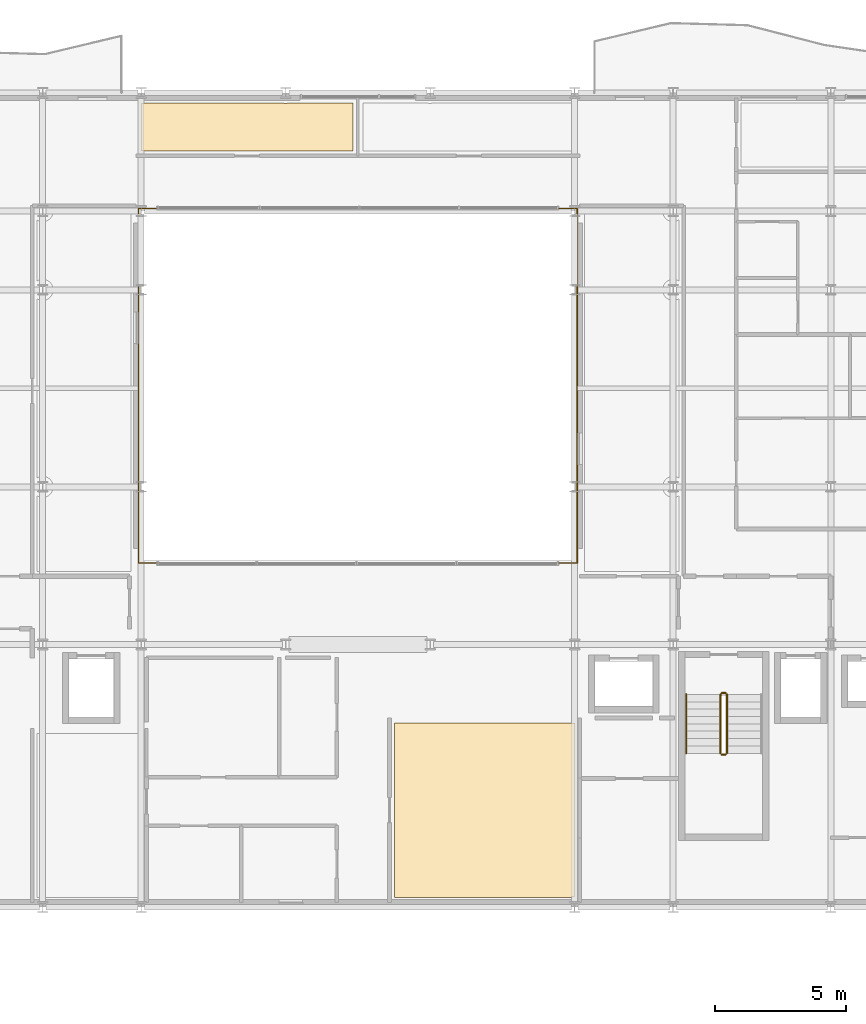
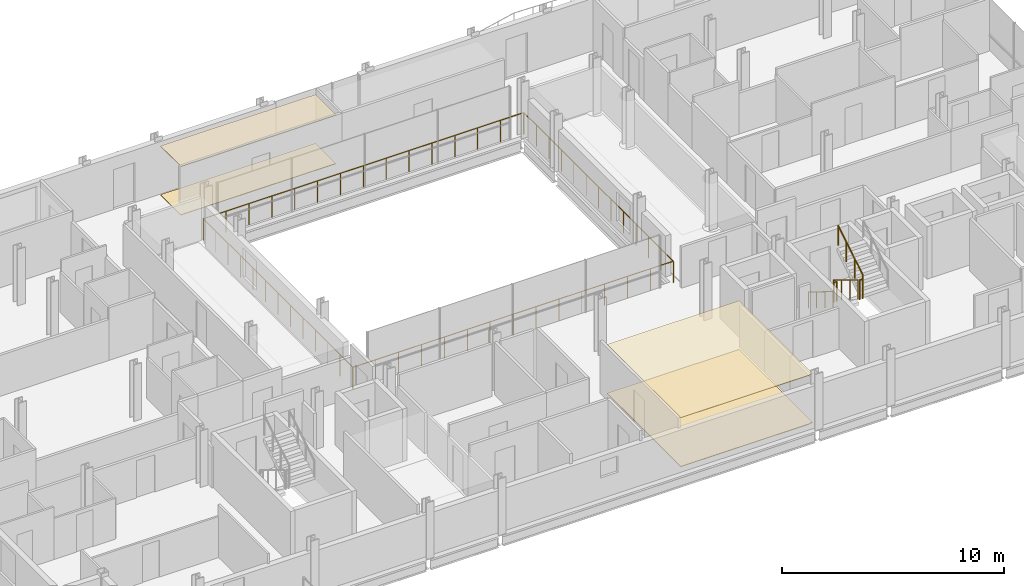
# One storey, part 40 of 41: 7 railings, 4 coverings.
"""IFC4 building model written with IfcOpenShell, lengths in metres."""

from ifc_helpers import new_model, si_unit, direction, frame, origin, origin_2d, place, context, subcontext, project, spatial, polyline, circle, outline, extrude, material, layer, layer_set, type_object, element, save


model = new_model("IFC4")

# Units and contexts
model_context = context("Model", 3, precision=1e-05, world=origin(), true_north=direction((0.0, 1.0)))
body_context = subcontext(model_context, "Body", "Model", "MODEL_VIEW")
ifc_project = project(units=[si_unit("LENGTHUNIT", "METRE"), si_unit("AREAUNIT", "SQUARE_METRE"), si_unit("VOLUMEUNIT", "CUBIC_METRE"), si_unit("PLANEANGLEUNIT", "RADIAN"), si_unit("MASSUNIT", "GRAM", prefix="KILO")], contexts=[model_context])

# Site, building, storey
site_placement = place(None, origin())
site = spatial("IfcSite", under=ifc_project, at=site_placement, CompositionType="ELEMENT")
building_placement = place(site_placement, origin())
building = spatial("IfcBuilding", under=site, at=building_placement, Name="Brevholm Reach", CompositionType="ELEMENT")
storey_placement = place(building_placement, frame((0.0, 0.0, 169.699951171875)))
storey = spatial("IfcBuildingStorey", under=building, at=storey_placement, Name="L51", CompositionType="ELEMENT", Elevation=169.699951171875)

# Coverings
ifc_material_1 = material(Name="Moisture-Resistant Skimmed Gypsum Plasterboard Ceiling", Category="gypsum")
ifc_layer_1 = layer(ifc_material_1, 0.030029296875)
ifc_layer_set_1 = layer_set([ifc_layer_1], Name="Moisture-Resistant Skimmed Gypsum Plasterboard Ceiling")
covering_type_1 = type_object("IfcCoveringType", Name="COV-CLG-GYP", PredefinedType="CEILING", material=ifc_layer_set_1)
covering_1_placement = place(storey_placement, frame((0.0, 0.0, 2.68994140625)))
element("IfcCovering", 1, at=covering_1_placement, inside=storey, type_object=covering_type_1, Name="L51 Suspended Ceiling L51-14", PredefinedType="CEILING", context=body_context, shape_type="SweptSolid", body=[
    extrude(outline(polyline([(38.27001953125, 7.02001953125), (38.27001953125, 0.39892578125), (38.25, 0.39990234375), (38.210693359375, 0.398193359375), (38.172119140625, 0.392333984375), (38.1337890625, 0.3828125), (38.096923828125, 0.36962890625), (38.07666015625, 0.360107421875), (31.384033203125, 0.360107421875), (31.384033203125, 7.02001953125), (38.27001953125, 7.02001953125)])), origin(), (0.0, 0.0, 1.0), 0.030029296875),
])
covering_2_placement = place(storey_placement, frame((0.0, 0.0, 2.68994140625)))
element("IfcCovering", 2, at=covering_2_placement, inside=storey, type_object=covering_type_1, Name="L51 Suspended Ceiling L51-60", PredefinedType="CEILING", context=body_context, shape_type="SweptSolid", body=[
    extrude(outline(polyline([(27.126220703125, 30.6201171875), (27.1337890625, 30.6171875), (27.172119140625, 30.607666015625), (27.210693359375, 30.601806640625), (27.25, 30.60009765625), (27.289306640625, 30.601806640625), (27.327880859375, 30.607666015625), (27.3662109375, 30.6171875), (27.373779296875, 30.6201171875), (29.820068359375, 30.6201171875), (29.820068359375, 28.783935546875), (21.73388671875, 28.783935546875), (21.73388671875, 30.600830078125), (21.75, 30.60009765625), (21.789306640625, 30.601806640625), (21.827880859375, 30.607666015625), (21.8662109375, 30.6171875), (21.873779296875, 30.6201171875), (27.126220703125, 30.6201171875)])), origin(), (0.0, 0.0, 1.0), 0.030029296875),
])
ifc_material_2 = material(Name="Honed Portland-Aggregate Resin Terrazzo Flooring", Category="concrete")
ifc_layer_2 = layer(ifc_material_2, 0.031982421875)
ifc_layer_set_2 = layer_set([ifc_layer_2], Name="Honed Portland-Aggregate Resin Terrazzo Flooring")
covering_type_2 = type_object("IfcCoveringType", Name="COV-FLR-TRZ", PredefinedType="FLOORING", material=ifc_layer_set_2)
covering_3_placement = place(storey_placement, origin())
element("IfcCovering", 3, at=covering_3_placement, inside=storey, type_object=covering_type_2, Name="L51 Floor Finish L51-14", PredefinedType="FLOORING", context=body_context, shape_type="SweptSolid", body=[
    extrude(outline(polyline([(38.27001953125, 7.02001953125), (38.27001953125, 0.39892578125), (38.25, 0.39990234375), (38.210693359375, 0.398193359375), (38.172119140625, 0.392333984375), (38.1337890625, 0.3828125), (38.096923828125, 0.36962890625), (38.07666015625, 0.360107421875), (31.384033203125, 0.360107421875), (31.384033203125, 7.02001953125), (38.27001953125, 7.02001953125)])), origin(), (0.0, 0.0, 1.0), 0.031982421875),
])
covering_4_placement = place(storey_placement, origin())
element("IfcCovering", 4, at=covering_4_placement, inside=storey, type_object=covering_type_2, Name="L51 Floor Finish L51-60", PredefinedType="FLOORING", context=body_context, shape_type="SweptSolid", body=[
    extrude(outline(polyline([(27.126220703125, 30.6201171875), (27.1337890625, 30.6171875), (27.172119140625, 30.607666015625), (27.210693359375, 30.601806640625), (27.25, 30.60009765625), (27.289306640625, 30.601806640625), (27.327880859375, 30.607666015625), (27.3662109375, 30.6171875), (27.373779296875, 30.6201171875), (29.820068359375, 30.6201171875), (29.820068359375, 28.783935546875), (21.73388671875, 28.783935546875), (21.73388671875, 30.600830078125), (21.75, 30.60009765625), (21.789306640625, 30.601806640625), (21.827880859375, 30.607666015625), (21.8662109375, 30.6171875), (21.873779296875, 30.6201171875), (27.126220703125, 30.6201171875)])), origin(), (0.0, 0.0, 1.0), 0.031982421875),
])

# Railings
ifc_material_3 = material(Name="Brushed Stainless Steel EN 1.4401 Continuous Handrail", Category="steel")
railing_type_1 = type_object("IfcRailingType", Name="RAL-HND-950", PredefinedType="HANDRAIL", material=ifc_material_3)
railing_1_placement = place(storey_placement, frame((42.5, 8.10009765625, 0.17236328125)))
element("IfcRailing", 5, at=railing_1_placement, inside=storey, type_object=railing_type_1, Name="L51 ST-2 stair handrail 1", PredefinedType="HANDRAIL", context=body_context, shape_type="SweptSolid", body=[
    extrude(circle(Radius=0.02392578125, at=origin_2d()), frame((0.0, 0.0, 0.8857421875), z_axis=(0.0, -0.85178898068, 0.523885037382), x_axis=(1.0, 0.0, 0.0)), (0.0, 0.0, 1.0), 2.629638671875),
    extrude(circle(Radius=0.02099609375, at=origin_2d()), origin(), (0.0, 0.0, 1.0), 0.86181640625),
    extrude(circle(Radius=0.02099609375, at=origin_2d()), frame((0.0, -0.74658203125, 0.459228515625)), (0.0, 0.0, 1.0), 0.86181640625),
    extrude(circle(Radius=0.02099609375, at=origin_2d()), frame((0.0, -1.493408203125, 0.91845703125)), (0.0, 0.0, 1.0), 0.86181640625),
    extrude(circle(Radius=0.02099609375, at=origin_2d()), frame((0.0, -2.239990234375, 1.377685546875)), (0.0, 0.0, 1.0), 0.86181640625),
])
ifc_material_4 = material(Name="Painted Tubular Galvanised Steel S275JR Stair Guard", Category="steel")
railing_type_2 = type_object("IfcRailingType", Name="RAL-STG-1120", PredefinedType="BALUSTRADE", material=ifc_material_4)
railing_2_placement = place(storey_placement, frame((43.800048828125, 8.10009765625, 0.17236328125)))
element("IfcRailing", 6, at=railing_2_placement, inside=storey, type_object=railing_type_2, Name="L51 ST-2 stair guard 1", PredefinedType="BALUSTRADE", context=body_context, shape_type="SweptSolid", body=[
    extrude(circle(Radius=0.02392578125, at=origin_2d()), frame((0.0, 0.0, 1.076171875), z_axis=(0.0, -0.85178898068, 0.523885037382), x_axis=(1.0, 0.0, 0.0)), (0.0, 0.0, 1.0), 2.629638671875),
    extrude(circle(Radius=0.02099609375, at=origin_2d()), origin(), (0.0, 0.0, 1.0), 1.052001953125),
    extrude(circle(Radius=0.02099609375, at=origin_2d()), frame((0.0, -0.74658203125, 0.459228515625)), (0.0, 0.0, 1.0), 1.052001953125),
    extrude(circle(Radius=0.02099609375, at=origin_2d()), frame((0.0, -1.493408203125, 0.91845703125)), (0.0, 0.0, 1.0), 1.052001953125),
    extrude(circle(Radius=0.02099609375, at=origin_2d()), frame((0.0, -2.239990234375, 1.377685546875)), (0.0, 0.0, 1.0), 1.052001953125),
])
railing_3_placement = place(storey_placement, frame((43.85009765625, 5.81005859375, 1.550048828125)))
element("IfcRailing", 7, at=railing_3_placement, inside=storey, type_object=railing_type_2, Name="L51 ST-2 stair guard 2", PredefinedType="BALUSTRADE", context=body_context, shape_type="SweptSolid", body=[
    extrude(circle(Radius=0.02392578125, at=origin_2d()), frame((0.0, 0.0, 1.076171875), z_axis=(1.0, 0.0, 0.0), x_axis=(0.0, 1.0, 0.0)), (0.0, 0.0, 1.0), 0.14990234375),
    extrude(circle(Radius=0.02099609375, at=origin_2d()), origin(), (0.0, 0.0, 1.0), 1.052001953125),
    extrude(circle(Radius=0.02099609375, at=origin_2d()), frame((0.14990234375, 0.0, 0.0)), (0.0, 0.0, 1.0), 1.052001953125),
])
railing_4_placement = place(storey_placement, frame((44.050048828125, 5.860107421875, 1.72216796875)))
element("IfcRailing", 8, at=railing_4_placement, inside=storey, type_object=railing_type_2, Name="L51 ST-2 stair guard 3", PredefinedType="BALUSTRADE", context=body_context, shape_type="SweptSolid", body=[
    extrude(circle(Radius=0.02392578125, at=origin_2d()), frame((0.0, 0.0, 1.076171875), z_axis=(0.0, 0.851747552033, 0.523952390591), x_axis=(-1.0, 0.0, 0.0)), (0.0, 0.0, 1.0), 2.6298828125),
    extrude(circle(Radius=0.02099609375, at=origin_2d()), origin(), (0.0, 0.0, 1.0), 1.052001953125),
    extrude(circle(Radius=0.02099609375, at=origin_2d()), frame((0.0, 0.74658203125, 0.459228515625)), (0.0, 0.0, 1.0), 1.052001953125),
    extrude(circle(Radius=0.02099609375, at=origin_2d()), frame((0.0, 1.493408203125, 0.918701171875)), (0.0, 0.0, 1.0), 1.052001953125),
    extrude(circle(Radius=0.02099609375, at=origin_2d()), frame((0.0, 2.239990234375, 1.3779296875)), (0.0, 0.0, 1.0), 1.052001953125),
])
railing_5_placement = place(storey_placement, frame((43.85009765625, 8.14990234375, 0.0)))
element("IfcRailing", 9, at=railing_5_placement, inside=storey, type_object=railing_type_2, Name="L51 ST-2 stair guard 4", PredefinedType="BALUSTRADE", context=body_context, shape_type="SweptSolid", body=[
    extrude(circle(Radius=0.02392578125, at=origin_2d()), frame((0.0, 0.0, 1.076171875), z_axis=(1.0, 0.0, 0.0), x_axis=(0.0, 1.0, 0.0)), (0.0, 0.0, 1.0), 0.14990234375),
    extrude(circle(Radius=0.02099609375, at=origin_2d()), origin(), (0.0, 0.0, 1.0), 1.052001953125),
    extrude(circle(Radius=0.02099609375, at=origin_2d()), frame((0.14990234375, 0.0, 0.0)), (0.0, 0.0, 1.0), 1.052001953125),
])
ifc_material_5 = material(Name="Brushed Stainless Steel EN 1.4401 and Laminated Glass", Category="steel")
railing_type_3 = type_object("IfcRailingType", Name="RAL-TERR-1200", PredefinedType="BALUSTRADE", material=ifc_material_5)
railing_6_placement = place(storey_placement, frame((21.64990234375, 13.10009765625, 0.0)))
element("IfcRailing", 10, at=railing_6_placement, inside=storey, type_object=railing_type_3, Name="L51 Guard Balustrade RAL-L51-AT-VOID-SW", PredefinedType="BALUSTRADE", context=body_context, shape_type="SweptSolid", body=[
    extrude(circle(Radius=0.02392578125, at=origin_2d()), frame((0.0, 0.0, 1.17578125), z_axis=(1.0, 0.0, 0.0), x_axis=(0.0, 1.0, 0.0)), (0.0, 0.0, 1.0), 16.7001953125),
    extrude(circle(Radius=0.02392578125, at=origin_2d()), frame((16.7001953125, 0.0, 1.17578125), z_axis=(0.0, 1.0, 0.0), x_axis=(-1.0, 0.0, 0.0)), (0.0, 0.0, 1.0), 13.47998046875),
    extrude(circle(Radius=0.02099609375, at=origin_2d()), origin(), (0.0, 0.0, 1.0), 1.15185546875),
    extrude(circle(Radius=0.02099609375, at=origin_2d()), frame((1.19287109375, 0.0, 0.0)), (0.0, 0.0, 1.0), 1.15185546875),
    extrude(circle(Radius=0.02099609375, at=origin_2d()), frame((2.3857421875, 0.0, 0.0)), (0.0, 0.0, 1.0), 1.15185546875),
    extrude(circle(Radius=0.02099609375, at=origin_2d()), frame((3.57861328125, 0.0, 0.0)), (0.0, 0.0, 1.0), 1.15185546875),
    extrude(circle(Radius=0.02099609375, at=origin_2d()), frame((4.771484375, 0.0, 0.0)), (0.0, 0.0, 1.0), 1.15185546875),
    extrude(circle(Radius=0.02099609375, at=origin_2d()), frame((5.96435546875, 0.0, 0.0)), (0.0, 0.0, 1.0), 1.15185546875),
    extrude(circle(Radius=0.02099609375, at=origin_2d()), frame((7.1572265625, 0.0, 0.0)), (0.0, 0.0, 1.0), 1.15185546875),
    extrude(circle(Radius=0.02099609375, at=origin_2d()), frame((8.35009765625, 0.0, 0.0)), (0.0, 0.0, 1.0), 1.15185546875),
    extrude(circle(Radius=0.02099609375, at=origin_2d()), frame((9.54296875, 0.0, 0.0)), (0.0, 0.0, 1.0), 1.15185546875),
    extrude(circle(Radius=0.02099609375, at=origin_2d()), frame((10.73583984375, 0.0, 0.0)), (0.0, 0.0, 1.0), 1.15185546875),
    extrude(circle(Radius=0.02099609375, at=origin_2d()), frame((11.9287109375, 0.0, 0.0)), (0.0, 0.0, 1.0), 1.15185546875),
    extrude(circle(Radius=0.02099609375, at=origin_2d()), frame((13.12158203125, 0.0, 0.0)), (0.0, 0.0, 1.0), 1.15185546875),
    extrude(circle(Radius=0.02099609375, at=origin_2d()), frame((14.314453125, 0.0, 0.0)), (0.0, 0.0, 1.0), 1.15185546875),
    extrude(circle(Radius=0.02099609375, at=origin_2d()), frame((15.50732421875, 0.0, 0.0)), (0.0, 0.0, 1.0), 1.15185546875),
    extrude(circle(Radius=0.02099609375, at=origin_2d()), frame((16.7001953125, 0.0, 0.0)), (0.0, 0.0, 1.0), 1.15185546875),
    extrude(circle(Radius=0.02099609375, at=origin_2d()), frame((16.7001953125, 1.123291015625, 0.0)), (0.0, 0.0, 1.0), 1.15185546875),
    extrude(circle(Radius=0.02099609375, at=origin_2d()), frame((16.7001953125, 2.24658203125, 0.0)), (0.0, 0.0, 1.0), 1.15185546875),
    extrude(circle(Radius=0.02099609375, at=origin_2d()), frame((16.7001953125, 3.3701171875, 0.0)), (0.0, 0.0, 1.0), 1.15185546875),
    extrude(circle(Radius=0.02099609375, at=origin_2d()), frame((16.7001953125, 4.493408203125, 0.0)), (0.0, 0.0, 1.0), 1.15185546875),
    extrude(circle(Radius=0.02099609375, at=origin_2d()), frame((16.7001953125, 5.61669921875, 0.0)), (0.0, 0.0, 1.0), 1.15185546875),
    extrude(circle(Radius=0.02099609375, at=origin_2d()), frame((16.7001953125, 6.739990234375, 0.0)), (0.0, 0.0, 1.0), 1.15185546875),
    extrude(circle(Radius=0.02099609375, at=origin_2d()), frame((16.7001953125, 7.86328125, 0.0)), (0.0, 0.0, 1.0), 1.15185546875),
    extrude(circle(Radius=0.02099609375, at=origin_2d()), frame((16.7001953125, 8.986572265625, 0.0)), (0.0, 0.0, 1.0), 1.15185546875),
    extrude(circle(Radius=0.02099609375, at=origin_2d()), frame((16.7001953125, 10.10986328125, 0.0)), (0.0, 0.0, 1.0), 1.15185546875),
    extrude(circle(Radius=0.02099609375, at=origin_2d()), frame((16.7001953125, 11.2333984375, 0.0)), (0.0, 0.0, 1.0), 1.15185546875),
    extrude(circle(Radius=0.02099609375, at=origin_2d()), frame((16.7001953125, 12.356689453125, 0.0)), (0.0, 0.0, 1.0), 1.15185546875),
    extrude(circle(Radius=0.02099609375, at=origin_2d()), frame((16.7001953125, 13.47998046875, 0.0)), (0.0, 0.0, 1.0), 1.15185546875),
])
railing_7_placement = place(storey_placement, frame((38.330078125, 26.60009765625, 0.0)))
element("IfcRailing", 11, at=railing_7_placement, inside=storey, type_object=railing_type_3, Name="L51 Guard Balustrade RAL-L51-AT-VOID-NE", PredefinedType="BALUSTRADE", context=body_context, shape_type="SweptSolid", body=[
    extrude(circle(Radius=0.02392578125, at=origin_2d()), frame((0.0, 0.0, 1.17578125), z_axis=(-1.0, 0.0, 0.0), x_axis=(0.0, -1.0, 0.0)), (0.0, 0.0, 1.0), 16.68017578125),
    extrude(circle(Radius=0.02392578125, at=origin_2d()), frame((-16.68017578125, 0.0, 1.17578125), z_axis=(0.0, -1.0, 0.0), x_axis=(1.0, 0.0, 0.0)), (0.0, 0.0, 1.0), 13.47998046875),
    extrude(circle(Radius=0.02099609375, at=origin_2d()), origin(), (0.0, 0.0, 1.0), 1.15185546875),
    extrude(circle(Radius=0.02099609375, at=origin_2d()), frame((-1.19140625, 0.0, 0.0)), (0.0, 0.0, 1.0), 1.15185546875),
    extrude(circle(Radius=0.02099609375, at=origin_2d()), frame((-2.3828125, 0.0, 0.0)), (0.0, 0.0, 1.0), 1.15185546875),
    extrude(circle(Radius=0.02099609375, at=origin_2d()), frame((-3.57421875, 0.0, 0.0)), (0.0, 0.0, 1.0), 1.15185546875),
    extrude(circle(Radius=0.02099609375, at=origin_2d()), frame((-4.765869140625, 0.0, 0.0)), (0.0, 0.0, 1.0), 1.15185546875),
    extrude(circle(Radius=0.02099609375, at=origin_2d()), frame((-5.957275390625, 0.0, 0.0)), (0.0, 0.0, 1.0), 1.15185546875),
    extrude(circle(Radius=0.02099609375, at=origin_2d()), frame((-7.148681640625, 0.0, 0.0)), (0.0, 0.0, 1.0), 1.15185546875),
    extrude(circle(Radius=0.02099609375, at=origin_2d()), frame((-8.340087890625, 0.0, 0.0)), (0.0, 0.0, 1.0), 1.15185546875),
    extrude(circle(Radius=0.02099609375, at=origin_2d()), frame((-9.531494140625, 0.0, 0.0)), (0.0, 0.0, 1.0), 1.15185546875),
    extrude(circle(Radius=0.02099609375, at=origin_2d()), frame((-10.722900390625, 0.0, 0.0)), (0.0, 0.0, 1.0), 1.15185546875),
    extrude(circle(Radius=0.02099609375, at=origin_2d()), frame((-11.914306640625, 0.0, 0.0)), (0.0, 0.0, 1.0), 1.15185546875),
    extrude(circle(Radius=0.02099609375, at=origin_2d()), frame((-13.10595703125, 0.0, 0.0)), (0.0, 0.0, 1.0), 1.15185546875),
    extrude(circle(Radius=0.02099609375, at=origin_2d()), frame((-14.29736328125, 0.0, 0.0)), (0.0, 0.0, 1.0), 1.15185546875),
    extrude(circle(Radius=0.02099609375, at=origin_2d()), frame((-15.48876953125, 0.0, 0.0)), (0.0, 0.0, 1.0), 1.15185546875),
    extrude(circle(Radius=0.02099609375, at=origin_2d()), frame((-16.68017578125, 0.0, 0.0)), (0.0, 0.0, 1.0), 1.15185546875),
    extrude(circle(Radius=0.02099609375, at=origin_2d()), frame((-16.68017578125, -1.123291015625, 0.0)), (0.0, 0.0, 1.0), 1.15185546875),
    extrude(circle(Radius=0.02099609375, at=origin_2d()), frame((-16.68017578125, -2.24658203125, 0.0)), (0.0, 0.0, 1.0), 1.15185546875),
    extrude(circle(Radius=0.02099609375, at=origin_2d()), frame((-16.68017578125, -3.3701171875, 0.0)), (0.0, 0.0, 1.0), 1.15185546875),
    extrude(circle(Radius=0.02099609375, at=origin_2d()), frame((-16.68017578125, -4.493408203125, 0.0)), (0.0, 0.0, 1.0), 1.15185546875),
    extrude(circle(Radius=0.02099609375, at=origin_2d()), frame((-16.68017578125, -5.61669921875, 0.0)), (0.0, 0.0, 1.0), 1.15185546875),
    extrude(circle(Radius=0.02099609375, at=origin_2d()), frame((-16.68017578125, -6.739990234375, 0.0)), (0.0, 0.0, 1.0), 1.15185546875),
    extrude(circle(Radius=0.02099609375, at=origin_2d()), frame((-16.68017578125, -7.86328125, 0.0)), (0.0, 0.0, 1.0), 1.15185546875),
    extrude(circle(Radius=0.02099609375, at=origin_2d()), frame((-16.68017578125, -8.986572265625, 0.0)), (0.0, 0.0, 1.0), 1.15185546875),
    extrude(circle(Radius=0.02099609375, at=origin_2d()), frame((-16.68017578125, -10.10986328125, 0.0)), (0.0, 0.0, 1.0), 1.15185546875),
    extrude(circle(Radius=0.02099609375, at=origin_2d()), frame((-16.68017578125, -11.2333984375, 0.0)), (0.0, 0.0, 1.0), 1.15185546875),
    extrude(circle(Radius=0.02099609375, at=origin_2d()), frame((-16.68017578125, -12.356689453125, 0.0)), (0.0, 0.0, 1.0), 1.15185546875),
    extrude(circle(Radius=0.02099609375, at=origin_2d()), frame((-16.68017578125, -13.47998046875, 0.0)), (0.0, 0.0, 1.0), 1.15185546875),
])

save(model, "model.ifc")
